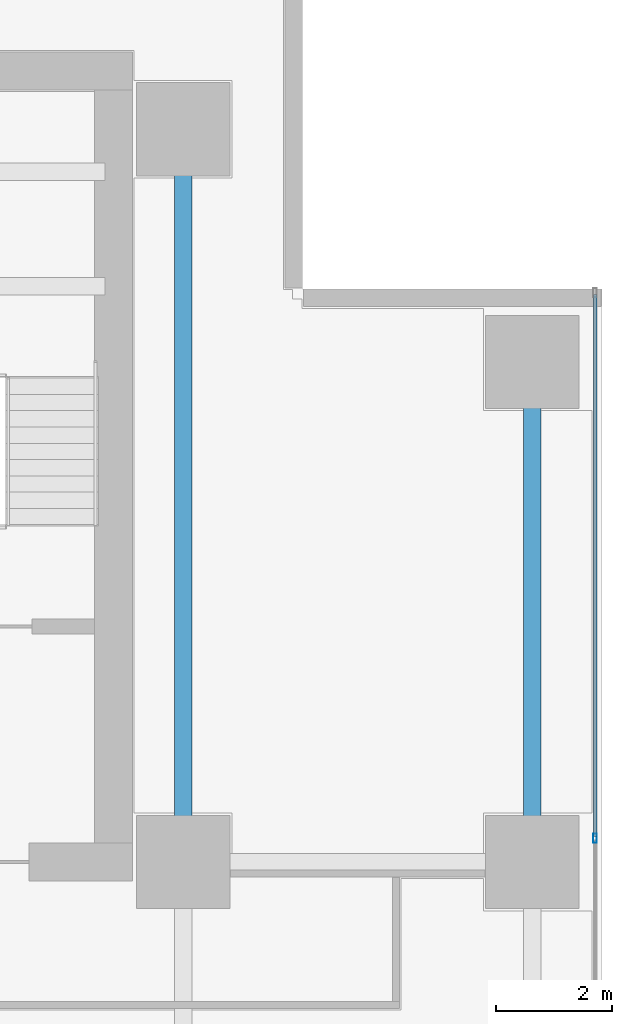
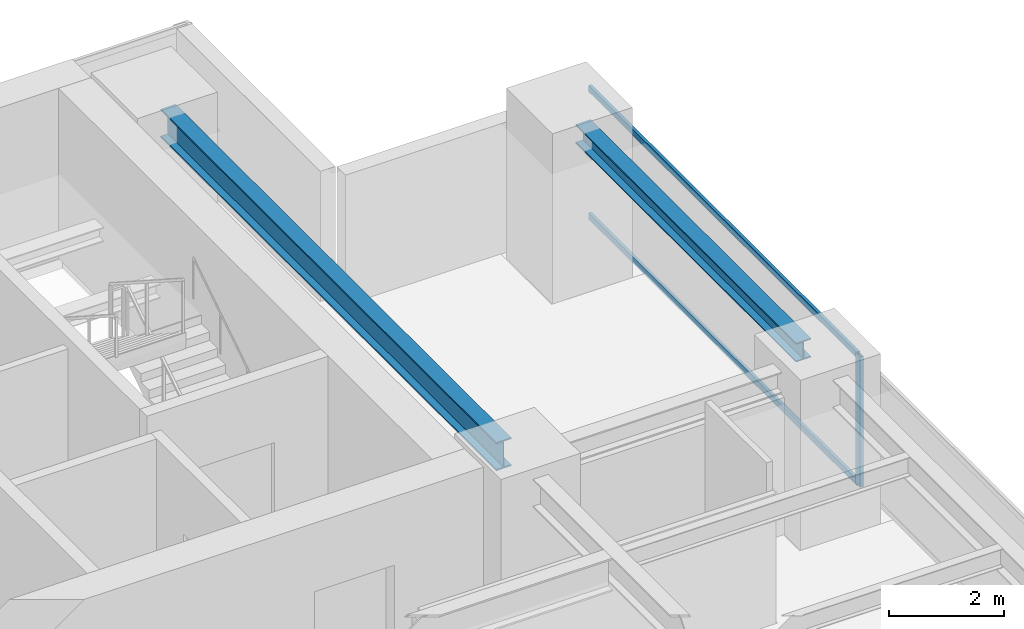
# One storey, part 18 of 27: 3 members, 2 beams, 1 element without a shape of its own.
"""IFC4 building model written with IfcOpenShell, lengths in metres."""

from ifc_helpers import new_model, si_unit, direction, frame, origin, origin_2d, place, context, subcontext, project, spatial, hollow_rectangle, i_section, extrude, source, transform, mapped, material, layer, layer_set, material_profile, profile_set, type_object, element, aggregate, save


model = new_model("IFC4")

# Units and contexts
model_context = context("Model", 3, precision=1e-05, world=origin(), true_north=direction((0.0, 1.0)))
body_context = subcontext(model_context, "Body", "Model", "MODEL_VIEW")
ifc_project = project(units=[si_unit("LENGTHUNIT", "METRE"), si_unit("AREAUNIT", "SQUARE_METRE"), si_unit("VOLUMEUNIT", "CUBIC_METRE"), si_unit("PLANEANGLEUNIT", "RADIAN"), si_unit("MASSUNIT", "GRAM", prefix="KILO")], contexts=[model_context])

# Site, building, storey
site_placement = place(None, origin())
site = spatial("IfcSite", under=ifc_project, at=site_placement, CompositionType="ELEMENT")
building_placement = place(site_placement, origin())
building = spatial("IfcBuilding", under=site, at=building_placement, Name="Sumidabori Civic Tower", CompositionType="ELEMENT")
storey_placement = place(building_placement, frame((0.0, 0.0, 142.39990234375)))
storey = spatial("IfcBuildingStorey", under=building, at=storey_placement, Name="L36", CompositionType="ELEMENT", Elevation=142.39990234375)

# Beams
ifc_material_1 = material(Name="Steel SN490", Category="steel")
ifc_material_profile_1 = material_profile(ifc_material_1, i_section(OverallWidth=0.300048828125, OverallDepth=0.39990234375, WebThickness=0.013427734375, FlangeThickness=0.02392578125, at=origin_2d()), Name="HE 400 B")
ifc_profile_set_1 = profile_set([ifc_material_profile_1], Name="Steel SN490")
beam_type_1 = type_object("IfcBeamType", Name="BM-GIRD-400", PredefinedType="BEAM", material=ifc_profile_set_1)
shared_shape_1 = source(origin(), body_context, "Body", "SweptSolid", [
    extrude(i_section(OverallWidth=0.300048828125, OverallDepth=0.39990234375, WebThickness=0.013427734375, FlangeThickness=0.02392578125, at=origin_2d()), origin(), (0.0, 0.0, 1.0), 7.64013671875),
])
beam_1_placement = place(storey_placement, frame((22.800048828125, 10.679931640625, 3.18017578125), z_axis=(0.0, 1.0, 0.0), x_axis=(-1.0, 0.0, 0.0)))
element("IfcBeam", 1, at=beam_1_placement, inside=storey, type_object=beam_type_1, Name="Primary Girder L36 GY-38", PredefinedType="BEAM", context=body_context, shape_type="MappedRepresentation", body=[
    mapped(shared_shape_1, transform((0.0, 0.0, 0.0), x_axis=(1.0, 0.0, 0.0), y_axis=(0.0, 1.0, 0.0), z_axis=(0.0, 0.0, 1.0), scale=1.0)),
])
ifc_material_profile_2 = material_profile(ifc_material_1, i_section(OverallWidth=0.300048828125, OverallDepth=0.60009765625, WebThickness=0.015380859375, FlangeThickness=0.030029296875, at=origin_2d()), Name="HE 600 B")
ifc_profile_set_2 = profile_set([ifc_material_profile_2], Name="Steel SN490")
beam_type_2 = type_object("IfcBeamType", Name="BM-GIRD-600", PredefinedType="BEAM", material=ifc_profile_set_2)
shared_shape_2 = source(origin(), body_context, "Body", "SweptSolid", [
    extrude(i_section(OverallWidth=0.300048828125, OverallDepth=0.60009765625, WebThickness=0.015380859375, FlangeThickness=0.030029296875, at=origin_2d()), origin(), (0.0, 0.0, 1.0), 11.64013671875),
])
beam_2_placement = place(storey_placement, frame((16.800048828125, 10.679931640625, 3.080078125), z_axis=(0.0, 1.0, 0.0), x_axis=(-1.0, 0.0, 0.0)))
element("IfcBeam", 2, at=beam_2_placement, inside=storey, type_object=beam_type_2, Name="Primary Girder L36 GY-35", PredefinedType="BEAM", context=body_context, shape_type="MappedRepresentation", body=[
    mapped(shared_shape_2, transform((0.0, 0.0, 0.0), x_axis=(1.0, 0.0, 0.0), y_axis=(0.0, 1.0, 0.0), z_axis=(0.0, 0.0, 1.0), scale=1.0)),
])

# Curtain wall, members
ifc_material_2 = material(Name="Anodised Bronze Aluminium AW-6063-T6", Category="aluminium")
ifc_layer = layer(ifc_material_2, 0.179931640625, Name="Anodised Bronze Aluminium AW-6063-T6")
ifc_layer_set = layer_set([ifc_layer], Name="Anodised Bronze Aluminium AW-6063-T6")
curtain_wall_type = type_object("IfcCurtainWallType", Name="CW-SYS-3", PredefinedType="NOTDEFINED", material=ifc_layer_set)
curtain_wall_placement = place(storey_placement, origin())
curtain_wall = element("IfcCurtainWall", 3, at=curtain_wall_placement, inside=storey, type_object=curtain_wall_type, Name="Curtain Wall CW:L36:R04", PredefinedType="NOTDEFINED")
ifc_material_profile_3 = material_profile(ifc_material_2, hollow_rectangle(XDim=0.06494140625, YDim=0.159912109375, WallThickness=0.0048828125, at=origin_2d()), Name="ALU MULLION 160x65")
ifc_profile_set_3 = profile_set([ifc_material_profile_3], Name="Anodised Bronze Aluminium AW-6063-T6")
member_type_1 = type_object("IfcMemberType", Name="CW-MUL-160", PredefinedType="MULLION", material=ifc_profile_set_3)
shared_shape_3 = source(origin(), body_context, "Body", "SweptSolid", [
    extrude(hollow_rectangle(XDim=0.06494140625, YDim=0.159912109375, WallThickness=0.0048828125, at=origin_2d()), origin(), (0.0, 0.0, 1.0), 2.760009765625),
])
member_1_placement = place(storey_placement, frame((23.8798828125, 10.610107421875, 0.0), z_axis=(0.0, 0.0, 1.0), x_axis=(-1.0, 0.0, 0.0)))
member_1 = element("IfcMember", 4, at=member_1_placement, type_object=member_type_1, Name="CW-3 mullion 4", PredefinedType="MULLION", context=body_context, shape_type="MappedRepresentation", body=[
    mapped(shared_shape_3, transform((0.0, 0.0, 0.0), x_axis=(1.0, 0.0, 0.0), y_axis=(0.0, 1.0, 0.0), z_axis=(0.0, 0.0, 1.0), scale=1.0)),
])
ifc_material_profile_4 = material_profile(ifc_material_2, hollow_rectangle(XDim=0.06005859375, YDim=0.1298828125, WallThickness=0.0048828125, at=origin_2d()), Name="ALU TRANSOM 130x60")
ifc_profile_set_4 = profile_set([ifc_material_profile_4], Name="Anodised Bronze Aluminium AW-6063-T6")
member_type_2 = type_object("IfcMemberType", Name="CW-TRN-130", PredefinedType="USERDEFINED", material=ifc_profile_set_4)
shared_shape_4 = source(origin(), body_context, "Body", "SweptSolid", [
    extrude(hollow_rectangle(XDim=0.06005859375, YDim=0.1298828125, WallThickness=0.0048828125, at=origin_2d()), origin(), (0.0, 0.0, 1.0), 9.3125),
])
member_2_placement = place(storey_placement, frame((23.8798828125, 10.642578125, 0.030029296875), z_axis=(0.0, 1.0, 0.0), x_axis=(-1.0, 0.0, 0.0)))
member_2 = element("IfcMember", 5, at=member_2_placement, type_object=member_type_2, Name="CW-3 transom 4.1", ObjectType="TRANSOM", PredefinedType="USERDEFINED", context=body_context, shape_type="MappedRepresentation", body=[
    mapped(shared_shape_4, transform((0.0, 0.0, 0.0), x_axis=(1.0, 0.0, 0.0), y_axis=(0.0, 1.0, 0.0), z_axis=(0.0, 0.0, 1.0), scale=1.0)),
])
member_3_placement = place(storey_placement, frame((23.8798828125, 10.642578125, 2.72998046875), z_axis=(0.0, 1.0, 0.0), x_axis=(-1.0, 0.0, 0.0)))
member_3 = element("IfcMember", 6, at=member_3_placement, type_object=member_type_2, Name="CW-3 transom 4.2", ObjectType="TRANSOM", PredefinedType="USERDEFINED", context=body_context, shape_type="MappedRepresentation", body=[
    mapped(shared_shape_4, transform((0.0, 0.0, 0.0), x_axis=(1.0, 0.0, 0.0), y_axis=(0.0, 1.0, 0.0), z_axis=(0.0, 0.0, 1.0), scale=1.0)),
])
aggregate(curtain_wall, [member_1, member_2, member_3])

save(model, "model.ifc")
